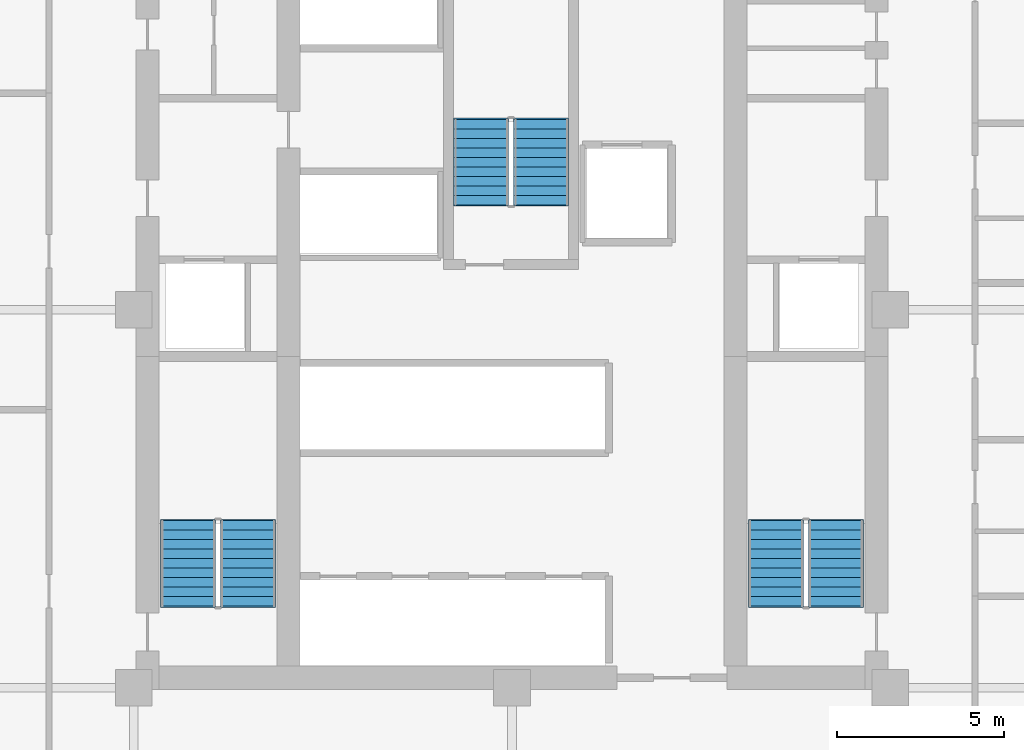
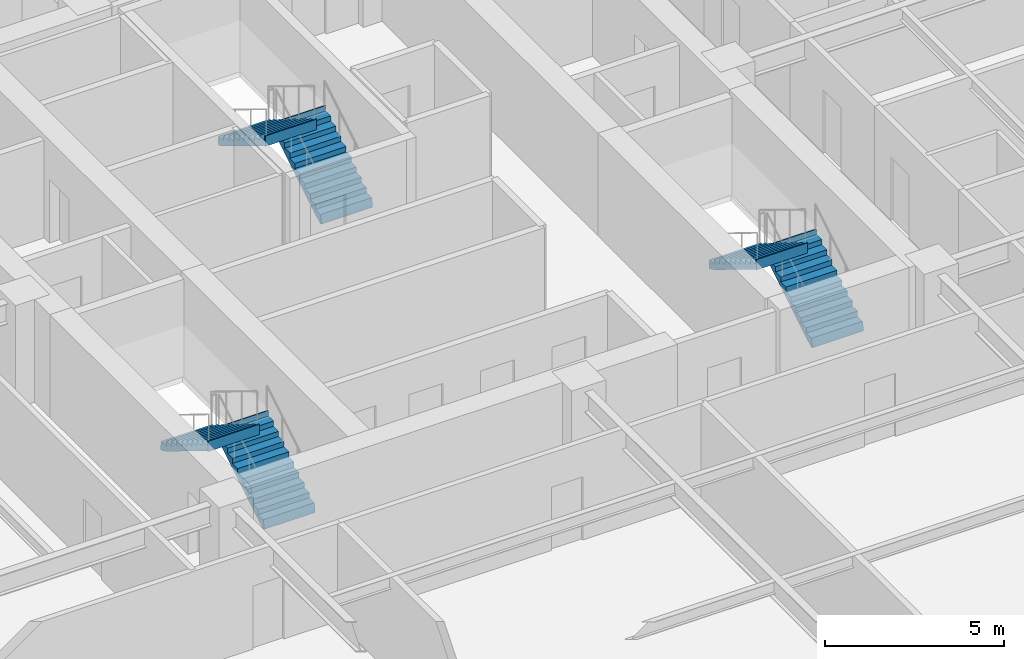
# One storey, part 6 of 7: 6 stair flights, 3 elements without a shape of their own.
"""IFC4 building model written with IfcOpenShell, lengths in metres."""

import ifcopenshell
import ifcopenshell.guid

model = None  # the IFC model being written
_history = None  # IfcOwnerHistory: only IFC2X3 demands one
_inside = {}  # id of a spatial element -> (the spatial element, [elements in it])
_under = {}  # id of a project, library or spatial element -> (it, [spatial elements below it])
_declared = {}  # id of a project -> (the project, [libraries it declares])
_typed = {}  # id of a type object -> (the type object, [elements of that type])
_made_of = {}  # id of a material, layer set ... -> (it, [elements and type objects made of it])


def new_model(schema):
    """Start an empty IFC model of exactly this schema.

    Asked for "IFC4X3", IfcOpenShell would pick the latest addendum, in which some entities
    have other attributes; the version numbers below select the first issue.
    IFC2X3 requires an IfcOwnerHistory on every rooted entity: one is made here for all.
    """
    global model, _history
    if schema == "IFC4X3":
        model = ifcopenshell.file(schema_version=(4, 3, 0, 0))
    else:
        model = ifcopenshell.file(schema=schema)
    _inside.clear()
    _under.clear()
    _declared.clear()
    _typed.clear()
    _made_of.clear()
    _history = None
    if model.schema == "IFC2X3":
        org = make("IfcOrganization", Name="unknown")
        user = make(
            "IfcPersonAndOrganization",
            ThePerson=make("IfcPerson", FamilyName="unknown"),
            TheOrganization=org,
        )
        app = make(
            "IfcApplication",
            ApplicationDeveloper=org,
            Version="unknown",
            ApplicationFullName="unknown",
            ApplicationIdentifier="unknown",
        )
        _history = make(
            "IfcOwnerHistory",
            OwningUser=user,
            OwningApplication=app,
            ChangeAction="ADDED",
            CreationDate=0,
        )
    return model


def make(cls, **values):
    """One entity of the class cls with the attributes given. An attribute that is None is left unset."""
    return model.create_entity(
        cls, **{name: value for name, value in values.items() if value is not None}
    )


def rooted(cls, **values):
    """An entity with a GlobalId (a new one), such as an element, a storey or a relation."""
    return make(cls, GlobalId=ifcopenshell.guid.new(), OwnerHistory=_history, **values)


def si_unit(unit_type, name, prefix=None):
    """IfcSIUnit, for example si_unit("LENGTHUNIT", "METRE", prefix="MILLI")."""
    return make("IfcSIUnit", UnitType=unit_type, Prefix=prefix, Name=name)


def assignment(units):
    """IfcUnitAssignment: the units of a project."""
    return None if units is None else make("IfcUnitAssignment", Units=units)


def point(xyz):
    """IfcCartesianPoint."""
    return None if xyz is None else make("IfcCartesianPoint", Coordinates=xyz)


def direction(xyz):
    """IfcDirection."""
    return None if xyz is None else make("IfcDirection", DirectionRatios=xyz)


def frame(location, z_axis=None, x_axis=None):
    """IfcAxis2Placement3D, a coordinate frame: its origin and axes. An axis left out is left unset."""
    return make(
        "IfcAxis2Placement3D",
        Location=point(location),
        Axis=direction(z_axis),
        RefDirection=direction(x_axis),
    )


def origin():
    """The frame at (0, 0, 0) with its axes left unset."""
    return frame((0.0, 0.0, 0.0))


def place(relative_to, where):
    """IfcLocalPlacement: puts the frame where relative to a parent placement (None: the world)."""
    return make(
        "IfcLocalPlacement", PlacementRelTo=relative_to, RelativePlacement=where
    )


def context(
    kind, dimensions, precision=None, world=None, true_north=None, identifier=None
):
    """IfcGeometricRepresentationContext, for example the 3D "Model" context."""
    return make(
        "IfcGeometricRepresentationContext",
        ContextIdentifier=identifier,
        ContextType=kind,
        CoordinateSpaceDimension=dimensions,
        Precision=precision,
        WorldCoordinateSystem=world,
        TrueNorth=true_north,
    )


def subcontext(parent, identifier, kind, view, scale=None):
    """IfcGeometricRepresentationSubContext, for example "Body" below "Model"."""
    return make(
        "IfcGeometricRepresentationSubContext",
        ContextIdentifier=identifier,
        ContextType=kind,
        ParentContext=parent,
        TargetScale=scale,
        TargetView=view,
    )


def project(units=None, contexts=None):
    """IfcProject with its units and contexts."""
    return rooted(
        "IfcProject",
        Name="project",
        RepresentationContexts=contexts,
        UnitsInContext=assignment(units),
    )


def spatial(cls, under=None, at=None, **own):
    """A site, building, storey or space (cls), placed at a placement, below another one or the project."""
    s = rooted(cls, ObjectPlacement=at, **own)
    if under is not None:
        _under.setdefault(under.id(), (under, []))[1].append(s)
    return s


def polyline(points):
    """IfcPolyline through the points."""
    return make("IfcPolyline", Points=[point(p) for p in points])


def outline(outer, holes=None, kind="AREA"):
    """IfcArbitraryClosedProfileDef: a profile drawn as a closed curve; with holes, ...WithVoids."""
    if holes is None:
        return make("IfcArbitraryClosedProfileDef", ProfileType=kind, OuterCurve=outer)
    return make(
        "IfcArbitraryProfileDefWithVoids",
        ProfileType=kind,
        OuterCurve=outer,
        InnerCurves=holes,
    )


def extrude(swept, where, along, depth):
    """IfcExtrudedAreaSolid: the profile swept, set in the frame where, extruded along a direction by depth."""
    return make(
        "IfcExtrudedAreaSolid",
        SweptArea=swept,
        Position=where,
        ExtrudedDirection=direction(along),
        Depth=depth,
    )


def shape(context_of_items, identifier, shape_type, items):
    """IfcShapeRepresentation: the items that make up one representation, for example the "Body"."""
    return make(
        "IfcShapeRepresentation",
        ContextOfItems=context_of_items,
        RepresentationIdentifier=identifier,
        RepresentationType=shape_type,
        Items=items,
    )


def material(Name=None, Category=None):
    """IfcMaterial."""
    return make("IfcMaterial", Name=Name, Category=Category)


def made_of(thing, what):
    """Note that an element or type object is made of a material, layer set ...; save() writes the relation."""
    if what is not None:
        _made_of.setdefault(what.id(), (what, []))[1].append(thing)
    return thing


def type_object(cls, material=None, **own):
    """A type object (cls), such as IfcWallType, which elements share."""
    return made_of(rooted(cls, **own), material)


def element(
    cls,
    number,
    at=None,
    inside=None,
    cuts=None,
    type_object=None,
    material=None,
    context=None,
    identifier="Body",
    shape_type=None,
    held_by="IfcProductDefinitionShape",
    body=None,
    shapes=None,
    **own,
):
    """One element of the class cls, such as IfcWall. Its Tag is "e" and its number.

    at: its placement. inside: the storey or other place that contains it. cuts: it is an
    opening in that element (IfcRelVoidsElement). A single representation is given by context,
    identifier, shape_type and body (its items); several are given by shapes. held_by: the class
    of the entity that holds the representations. save() writes the other relations.
    """
    e = rooted(cls, Tag="e%d" % number, ObjectPlacement=at, **own)
    if body is not None:
        shapes = [shape(context, identifier, shape_type, body)]
    if shapes is not None:
        e.Representation = make(held_by, Representations=shapes)
    if inside is not None:
        _inside.setdefault(inside.id(), (inside, []))[1].append(e)
    if cuts is not None:
        rooted(
            "IfcRelVoidsElement", RelatingBuildingElement=cuts, RelatedOpeningElement=e
        )
    if type_object is not None:
        _typed.setdefault(type_object.id(), (type_object, []))[1].append(e)
    return made_of(e, material)


def aggregate(whole, parts):
    """IfcRelAggregates: a whole, such as a stair, and the parts it consists of."""
    return rooted("IfcRelAggregates", RelatingObject=whole, RelatedObjects=parts)


def save(model, path):
    """Write the relations noted so far, then the file.

    IfcRelAggregates (storeys below a building ...), IfcRelContainedInSpatialStructure (elements
    in a storey), IfcRelDefinesByType, IfcRelAssociatesMaterial and IfcRelDeclares: one each for
    every whole, place, type object, material and project.
    """
    for whole, parts in _under.values():
        aggregate(whole, parts)
    for where, things in _inside.values():
        rooted(
            "IfcRelContainedInSpatialStructure",
            RelatedElements=things,
            RelatingStructure=where,
        )
    for kind, things in _typed.values():
        rooted("IfcRelDefinesByType", RelatedObjects=things, RelatingType=kind)
    for what, things in _made_of.values():
        rooted("IfcRelAssociatesMaterial", RelatedObjects=things, RelatingMaterial=what)
    for by, libraries in _declared.values():
        rooted("IfcRelDeclares", RelatingContext=by, RelatedDefinitions=libraries)
    model.write(path)


model = new_model("IFC4")

# Units and contexts
model_context = context("Model", 3, precision=1e-05, world=origin(), true_north=direction((0.0, 1.0)))
body_context = subcontext(model_context, "Body", "Model", "MODEL_VIEW")
ifc_project = project(units=[si_unit("LENGTHUNIT", "METRE"), si_unit("AREAUNIT", "SQUARE_METRE"), si_unit("VOLUMEUNIT", "CUBIC_METRE"), si_unit("PLANEANGLEUNIT", "RADIAN"), si_unit("MASSUNIT", "GRAM", prefix="KILO")], contexts=[model_context])

# Site, building, storey
site_placement = place(None, origin())
site = spatial("IfcSite", under=ifc_project, at=site_placement, CompositionType="ELEMENT")
building_placement = place(site_placement, origin())
building = spatial("IfcBuilding", under=site, at=building_placement, Name="Nhamokura Convention Tower", CompositionType="ELEMENT")
storey_placement = place(building_placement, frame((0.0, 0.0, 52.85009765625)))
storey = spatial("IfcBuildingStorey", under=building, at=storey_placement, Name="L11", CompositionType="ELEMENT", Elevation=52.85009765625)

# Stair, stair flights
ifc_material_1 = material(Name="Concrete C40/50", Category="concrete")
stair_type = type_object("IfcStairType", Name="TowerCoreStair_1650", PredefinedType="HALF_TURN_STAIR", material=ifc_material_1)
stair_1_placement = place(storey_placement, origin())
stair_1 = element("IfcStair", 1, at=stair_1_placement, inside=storey, type_object=stair_type, Name="L11 West Core Smokeproof Stair ST-01", PredefinedType="HALF_TURN_STAIR")
ifc_material_2 = material(Name="Concrete C40/50", Category="concrete")
stair_flight_type = type_object("IfcStairFlightType", Name="TowerCoreStair_1650_Flight", PredefinedType="STRAIGHT", material=ifc_material_2)
stair_flight_1_placement = place(storey_placement, frame((24.074951171875, 23.10009765625, 0.0), z_axis=(0.0, 0.0, 1.0), x_axis=(0.0, 1.0, 0.0)))
stair_flight_1 = element("IfcStairFlight", 2, at=stair_flight_1_placement, type_object=stair_flight_type, Name="ST-01 flight 1", NumberOfRisers=10, NumberOfTreads=9, PredefinedType="STRAIGHT", RiserHeight=0.175, TreadLength=0.285, context=body_context, shape_type="SweptSolid", body=[
    extrude(outline(polyline([(-0.0419921875, 0.0), (0.0, 0.175048828125), (0.284912109375, 0.175048828125), (0.284912109375, 0.35009765625), (0.570068359375, 0.35009765625), (0.570068359375, 0.52490234375), (0.85498046875, 0.52490234375), (0.85498046875, 0.699951171875), (1.139892578125, 0.699951171875), (1.139892578125, 0.875), (1.425048828125, 0.875), (1.425048828125, 1.050048828125), (1.7099609375, 1.050048828125), (1.7099609375, 1.22509765625), (1.9951171875, 1.22509765625), (1.9951171875, 1.39990234375), (2.280029296875, 1.39990234375), (2.280029296875, 1.574951171875), (2.56494140625, 1.574951171875), (2.56494140625, 1.75), (2.60693359375, 1.75), (2.60693359375, 1.399169921875), (2.56494140625, 1.399169921875), (0.286376953125, 0.0), (0.02001953125, -0.1298828125), (-0.0419921875, -0.1298828125), (-0.0419921875, 0.0)])), frame((0.0, 0.824951171875, 0.0), z_axis=(0.0, -1.0, 0.0), x_axis=(1.0, 0.0, 0.0)), (0.0, 0.0, 1.0), 1.64990234375),
])
stair_flight_2_placement = place(storey_placement, frame((22.27490234375, 25.6650390625, 1.75), z_axis=(0.0, 0.0, 1.0), x_axis=(0.0, -1.0, 0.0)))
stair_flight_2 = element("IfcStairFlight", 3, at=stair_flight_2_placement, type_object=stair_flight_type, Name="ST-01 flight 2", NumberOfRisers=10, NumberOfTreads=9, PredefinedType="STRAIGHT", RiserHeight=0.175, TreadLength=0.285, context=body_context, shape_type="SweptSolid", body=[
    extrude(outline(polyline([(-0.0419921875, 0.0), (0.0, 0.175048828125), (0.284912109375, 0.175048828125), (0.284912109375, 0.35009765625), (0.570068359375, 0.35009765625), (0.570068359375, 0.52490234375), (0.85498046875, 0.52490234375), (0.85498046875, 0.699951171875), (1.139892578125, 0.699951171875), (1.139892578125, 0.875), (1.425048828125, 0.875), (1.425048828125, 1.050048828125), (1.7099609375, 1.050048828125), (1.7099609375, 1.22509765625), (1.9951171875, 1.22509765625), (1.9951171875, 1.39990234375), (2.280029296875, 1.39990234375), (2.280029296875, 1.574951171875), (2.56494140625, 1.574951171875), (2.56494140625, 1.75), (2.60693359375, 1.75), (2.60693359375, 1.399169921875), (2.56494140625, 1.399169921875), (0.286376953125, 0.0), (0.02001953125, -0.1298828125), (-0.0419921875, -0.1298828125), (-0.0419921875, 0.0)])), frame((0.0, 0.824951171875, 0.0), z_axis=(0.0, -1.0, 0.0), x_axis=(1.0, 0.0, 0.0)), (0.0, 0.0, 1.0), 1.64990234375),
])
aggregate(stair_1, [stair_flight_1, stair_flight_2])

stair_2_placement = place(storey_placement, origin())
stair_2 = element("IfcStair", 4, at=stair_2_placement, inside=storey, type_object=stair_type, Name="L11 East Core Smokeproof Stair ST-02", PredefinedType="HALF_TURN_STAIR")
stair_flight_3_placement = place(storey_placement, frame((41.72509765625, 23.10009765625, 0.0), z_axis=(0.0, 0.0, 1.0), x_axis=(0.0, 1.0, 0.0)))
stair_flight_3 = element("IfcStairFlight", 5, at=stair_flight_3_placement, type_object=stair_flight_type, Name="ST-02 flight 1", NumberOfRisers=10, NumberOfTreads=9, PredefinedType="STRAIGHT", RiserHeight=0.175, TreadLength=0.285, context=body_context, shape_type="SweptSolid", body=[
    extrude(outline(polyline([(-0.0419921875, 0.0), (0.0, 0.175048828125), (0.284912109375, 0.175048828125), (0.284912109375, 0.35009765625), (0.570068359375, 0.35009765625), (0.570068359375, 0.52490234375), (0.85498046875, 0.52490234375), (0.85498046875, 0.699951171875), (1.139892578125, 0.699951171875), (1.139892578125, 0.875), (1.425048828125, 0.875), (1.425048828125, 1.050048828125), (1.7099609375, 1.050048828125), (1.7099609375, 1.22509765625), (1.9951171875, 1.22509765625), (1.9951171875, 1.39990234375), (2.280029296875, 1.39990234375), (2.280029296875, 1.574951171875), (2.56494140625, 1.574951171875), (2.56494140625, 1.75), (2.60693359375, 1.75), (2.60693359375, 1.399169921875), (2.56494140625, 1.399169921875), (0.286376953125, 0.0), (0.02001953125, -0.1298828125), (-0.0419921875, -0.1298828125), (-0.0419921875, 0.0)])), frame((0.0, 0.824951171875, 0.0), z_axis=(0.0, -1.0, 0.0), x_axis=(1.0, 0.0, 0.0)), (0.0, 0.0, 1.0), 1.64990234375),
])
stair_flight_4_placement = place(storey_placement, frame((39.925048828125, 25.6650390625, 1.75), z_axis=(0.0, 0.0, 1.0), x_axis=(0.0, -1.0, 0.0)))
stair_flight_4 = element("IfcStairFlight", 6, at=stair_flight_4_placement, type_object=stair_flight_type, Name="ST-02 flight 2", NumberOfRisers=10, NumberOfTreads=9, PredefinedType="STRAIGHT", RiserHeight=0.175, TreadLength=0.285, context=body_context, shape_type="SweptSolid", body=[
    extrude(outline(polyline([(-0.0419921875, 0.0), (0.0, 0.175048828125), (0.284912109375, 0.175048828125), (0.284912109375, 0.35009765625), (0.570068359375, 0.35009765625), (0.570068359375, 0.52490234375), (0.85498046875, 0.52490234375), (0.85498046875, 0.699951171875), (1.139892578125, 0.699951171875), (1.139892578125, 0.875), (1.425048828125, 0.875), (1.425048828125, 1.050048828125), (1.7099609375, 1.050048828125), (1.7099609375, 1.22509765625), (1.9951171875, 1.22509765625), (1.9951171875, 1.39990234375), (2.280029296875, 1.39990234375), (2.280029296875, 1.574951171875), (2.56494140625, 1.574951171875), (2.56494140625, 1.75), (2.60693359375, 1.75), (2.60693359375, 1.399169921875), (2.56494140625, 1.399169921875), (0.286376953125, 0.0), (0.02001953125, -0.1298828125), (-0.0419921875, -0.1298828125), (-0.0419921875, 0.0)])), frame((0.0, 0.824951171875, 0.0), z_axis=(0.0, -1.0, 0.0), x_axis=(1.0, 0.0, 0.0)), (0.0, 0.0, 1.0), 1.64990234375),
])
aggregate(stair_2, [stair_flight_3, stair_flight_4])

stair_3_placement = place(storey_placement, origin())
stair_3 = element("IfcStair", 7, at=stair_3_placement, inside=storey, type_object=stair_type, Name="L11 North Core Smokeproof Stair ST-03", PredefinedType="HALF_TURN_STAIR")
stair_flight_5_placement = place(storey_placement, frame((32.875, 35.14990234375, 0.0), z_axis=(0.0, 0.0, 1.0), x_axis=(0.0, 1.0, 0.0)))
stair_flight_5 = element("IfcStairFlight", 8, at=stair_flight_5_placement, type_object=stair_flight_type, Name="ST-03 flight 1", NumberOfRisers=10, NumberOfTreads=9, PredefinedType="STRAIGHT", RiserHeight=0.175, TreadLength=0.285, context=body_context, shape_type="SweptSolid", body=[
    extrude(outline(polyline([(-0.0419921875, 0.0), (0.0, 0.175048828125), (0.284912109375, 0.175048828125), (0.284912109375, 0.35009765625), (0.570068359375, 0.35009765625), (0.570068359375, 0.52490234375), (0.85498046875, 0.52490234375), (0.85498046875, 0.699951171875), (1.139892578125, 0.699951171875), (1.139892578125, 0.875), (1.425048828125, 0.875), (1.425048828125, 1.050048828125), (1.7099609375, 1.050048828125), (1.7099609375, 1.22509765625), (1.9951171875, 1.22509765625), (1.9951171875, 1.39990234375), (2.280029296875, 1.39990234375), (2.280029296875, 1.574951171875), (2.56494140625, 1.574951171875), (2.56494140625, 1.75), (2.60693359375, 1.75), (2.60693359375, 1.399169921875), (2.56494140625, 1.399169921875), (0.286376953125, 0.0), (0.02001953125, -0.1298828125), (-0.0419921875, -0.1298828125), (-0.0419921875, 0.0)])), frame((0.0, 0.824951171875, 0.0), z_axis=(0.0, -1.0, 0.0), x_axis=(1.0, 0.0, 0.0)), (0.0, 0.0, 1.0), 1.64990234375),
])
stair_flight_6_placement = place(storey_placement, frame((31.074951171875, 37.715087890625, 1.75), z_axis=(0.0, 0.0, 1.0), x_axis=(0.0, -1.0, 0.0)))
stair_flight_6 = element("IfcStairFlight", 9, at=stair_flight_6_placement, type_object=stair_flight_type, Name="ST-03 flight 2", NumberOfRisers=10, NumberOfTreads=9, PredefinedType="STRAIGHT", RiserHeight=0.175, TreadLength=0.285, context=body_context, shape_type="SweptSolid", body=[
    extrude(outline(polyline([(-0.0419921875, 0.0), (0.0, 0.175048828125), (0.284912109375, 0.175048828125), (0.284912109375, 0.35009765625), (0.570068359375, 0.35009765625), (0.570068359375, 0.52490234375), (0.85498046875, 0.52490234375), (0.85498046875, 0.699951171875), (1.139892578125, 0.699951171875), (1.139892578125, 0.875), (1.425048828125, 0.875), (1.425048828125, 1.050048828125), (1.7099609375, 1.050048828125), (1.7099609375, 1.22509765625), (1.9951171875, 1.22509765625), (1.9951171875, 1.39990234375), (2.280029296875, 1.39990234375), (2.280029296875, 1.574951171875), (2.56494140625, 1.574951171875), (2.56494140625, 1.75), (2.60693359375, 1.75), (2.60693359375, 1.399169921875), (2.56494140625, 1.399169921875), (0.286376953125, 0.0), (0.02001953125, -0.1298828125), (-0.0419921875, -0.1298828125), (-0.0419921875, 0.0)])), frame((0.0, 0.824951171875, 0.0), z_axis=(0.0, -1.0, 0.0), x_axis=(1.0, 0.0, 0.0)), (0.0, 0.0, 1.0), 1.64990234375),
])
aggregate(stair_3, [stair_flight_5, stair_flight_6])

save(model, "model.ifc")
